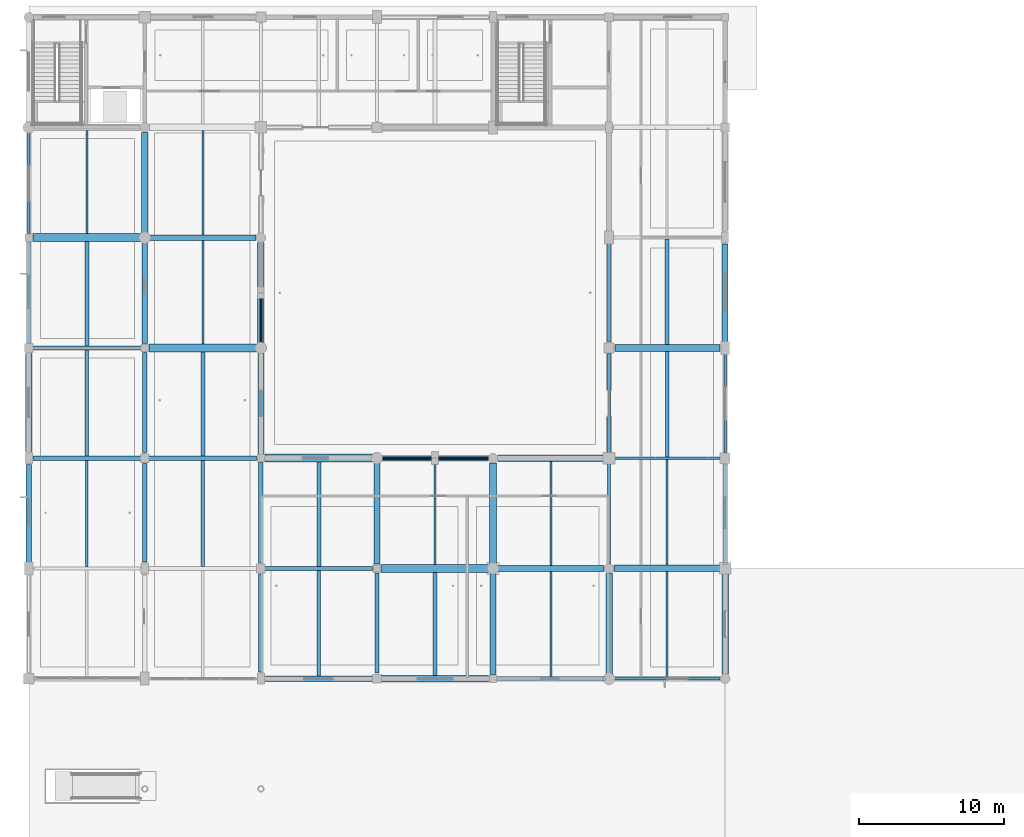
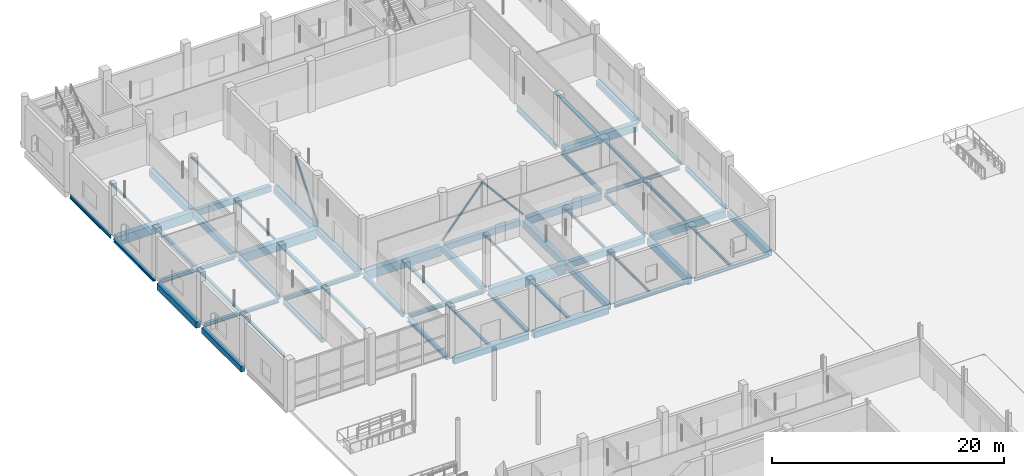
# One storey, part 27 of 126: 61 beams, 3 members.
"""IFC4 building model written with IfcOpenShell, lengths in metres."""

from ifc_helpers import new_model, si_unit, direction, frame, origin, origin_2d, place, context, subcontext, project, spatial, rectangle, hollow_circle, i_section, extrude, material, material_profile, profile_set, type_object, element, save


model = new_model("IFC4")

# Units and contexts
model_context = context("Model", 3, precision=1e-05, world=origin(), true_north=direction((0.0, 1.0)))
body_context = subcontext(model_context, "Body", "Model", "MODEL_VIEW")
ifc_project = project(units=[si_unit("LENGTHUNIT", "METRE"), si_unit("AREAUNIT", "SQUARE_METRE"), si_unit("VOLUMEUNIT", "CUBIC_METRE"), si_unit("PLANEANGLEUNIT", "RADIAN"), si_unit("MASSUNIT", "GRAM", prefix="KILO")], contexts=[model_context])

# Site, building, storey
site_placement = place(None, origin())
site = spatial("IfcSite", under=ifc_project, at=site_placement, CompositionType="ELEMENT")
building_placement = place(site_placement, origin())
building = spatial("IfcBuilding", under=site, at=building_placement, Name="Khelvaren Railside Concert Hall", CompositionType="ELEMENT")
storey_placement = place(building_placement, origin())
storey = spatial("IfcBuildingStorey", under=building, at=storey_placement, Name="L00", CompositionType="ELEMENT", Elevation=0.0)

# Beams
ifc_material_1 = material(Name="Steel S355", Category="steel")
ifc_material_profile_1 = material_profile(ifc_material_1, i_section(OverallWidth=0.300048828125, OverallDepth=0.389892578125, WebThickness=0.010986328125, FlangeThickness=0.01904296875, FilletRadius=0.027099609375, at=origin_2d()), Name="HEA 400")
ifc_profile_set_1 = profile_set([ifc_material_profile_1], Name="Steel S355")
beam_type_1 = type_object("IfcBeamType", Name="BM23", PredefinedType="BEAM", material=ifc_profile_set_1)
for number, where, z_axis, x_axis, name in (
    (1, (16.25, 76.0, -0.514892578125), (1.0, 0.0, 0.0), (0.0, 1.0, 0.0), "V4 L00 Beam X2.3"),
    (2, (8.25, 83.60009765625, -0.514892578125), (1.0, 0.0, 0.0), (0.0, 1.0, 0.0), "V4 L00 Beam X3.2"),
    (3, (0.25, 91.199951171875, -0.514892578125), (1.0, 0.0, 0.0), (0.0, 1.0, 0.0), "V4 L00 Beam X4.1"),
):
    element("IfcBeam", number, at=place(storey_placement, frame(where, z_axis=z_axis, x_axis=x_axis)), inside=storey, type_object=beam_type_1, Name=name, PredefinedType="BEAM", context=body_context, shape_type="SweptSolid", body=[
        extrude(i_section(OverallWidth=0.300048828125, OverallDepth=0.389892578125, WebThickness=0.010986328125, FlangeThickness=0.01904296875, FilletRadius=0.027099609375, at=origin_2d()), origin(), (0.0, 0.0, 1.0), 7.449951171875),
    ])
beam_1_placement = place(storey_placement, frame((8.0, 76.449951171875, -0.514892578125), z_axis=(0.0, 1.0, 0.0), x_axis=(-1.0, 0.0, 0.0)))
element("IfcBeam", 4, at=beam_1_placement, inside=storey, type_object=beam_type_1, Name="V4 L00 Beam Y2.2", PredefinedType="BEAM", context=body_context, shape_type="SweptSolid", body=[
    extrude(i_section(OverallWidth=0.300048828125, OverallDepth=0.389892578125, WebThickness=0.010986328125, FlangeThickness=0.01904296875, FilletRadius=0.027099609375, at=origin_2d()), origin(), (0.0, 0.0, 1.0), 6.775146484375),
])
beam_2_placement = place(storey_placement, frame((16.0, 68.85009765625, -0.514892578125), z_axis=(0.0, 1.0, 0.0), x_axis=(-1.0, 0.0, 0.0)))
element("IfcBeam", 5, at=beam_2_placement, inside=storey, type_object=beam_type_1, Name="V4 L00 Beam Y3.1", PredefinedType="BEAM", context=body_context, shape_type="SweptSolid", body=[
    extrude(i_section(OverallWidth=0.300048828125, OverallDepth=0.389892578125, WebThickness=0.010986328125, FlangeThickness=0.01904296875, FilletRadius=0.027099609375, at=origin_2d()), origin(), (0.0, 0.0, 1.0), 6.77490234375),
])
ifc_material_profile_2 = material_profile(ifc_material_1, i_section(OverallWidth=0.179931640625, OverallDepth=0.39990234375, WebThickness=0.008544921875, FlangeThickness=0.013427734375, FilletRadius=0.02099609375, at=origin_2d()), Name="IPE 400")
ifc_profile_set_2 = profile_set([ifc_material_profile_2], Name="Steel S355")
beam_type_2 = type_object("IfcBeamType", Name="BM29", PredefinedType="BEAM", material=ifc_profile_set_2)
beam_3_placement = place(storey_placement, frame((40.27294921875, 83.60009765625, -0.52001953125), z_axis=(1.0, 0.0, 0.0), x_axis=(0.0, 1.0, 0.0)))
element("IfcBeam", 6, at=beam_3_placement, inside=storey, type_object=beam_type_2, Name="V4 L00 Beam X3.6", PredefinedType="BEAM", context=body_context, shape_type="SweptSolid", body=[
    extrude(i_section(OverallWidth=0.179931640625, OverallDepth=0.39990234375, WebThickness=0.008544921875, FlangeThickness=0.013427734375, FilletRadius=0.02099609375, at=origin_2d()), origin(), (0.0, 0.0, 1.0), 7.3271484375),
])
beam_4_placement = place(storey_placement, frame((40.0, 76.3359375, -0.52001953125), z_axis=(0.0, 1.0, 0.0), x_axis=(-1.0, 0.0, 0.0)))
element("IfcBeam", 7, at=beam_4_placement, inside=storey, type_object=beam_type_2, Name="V4 L00 Beam Y6.2", PredefinedType="BEAM", context=body_context, shape_type="SweptSolid", body=[
    extrude(i_section(OverallWidth=0.179931640625, OverallDepth=0.39990234375, WebThickness=0.008544921875, FlangeThickness=0.013427734375, FilletRadius=0.02099609375, at=origin_2d()), origin(), (0.0, 0.0, 1.0), 6.990966796875),
])
ifc_material_2 = material(Name="Concrete C40/50", Category="concrete")
ifc_material_profile_3 = material_profile(ifc_material_2, rectangle(XDim=0.39990234375, YDim=0.64990234375, at=origin_2d()), Name="RCB 400x650")
ifc_profile_set_3 = profile_set([ifc_material_profile_3], Name="Concrete C40/50")
beam_type_3 = type_object("IfcBeamType", Name="BM33", PredefinedType="BEAM", material=ifc_profile_set_3)
for number, where, z_axis, x_axis, name in (
    (8, (32.25, 76.0, -0.64501953125), (1.0, 0.0, 0.0), (0.0, 1.0, 0.0), "V4 L00 Beam X2.5"),
    (9, (24.25, 83.60009765625, -0.64501953125), (1.0, 0.0, 0.0), (0.0, 1.0, 0.0), "V4 L00 Beam X3.4"),
    (10, (8.25, 98.800048828125, -0.64501953125), (1.0, 0.0, 0.0), (0.0, 1.0, 0.0), "V4 L00 Beam X5.2"),
):
    element("IfcBeam", number, at=place(storey_placement, frame(where, z_axis=z_axis, x_axis=x_axis)), inside=storey, type_object=beam_type_3, Name=name, PredefinedType="BEAM", context=body_context, shape_type="SweptSolid", body=[
        extrude(rectangle(XDim=0.39990234375, YDim=0.64990234375, at=origin_2d()), origin(), (0.0, 0.0, 1.0), 7.4140625),
    ])
for number, where, z_axis, x_axis, name in (
    (11, (8.0, 91.5, -0.64501953125), (0.0, 1.0, 0.0), (-1.0, 0.0, 0.0), "V4 L00 Beam Y2.4"),
    (12, (16.0, 83.89990234375, -0.64501953125), (0.0, 1.0, 0.0), (-1.0, 0.0, 0.0), "V4 L00 Beam Y3.3"),
    (13, (24.0, 76.300048828125, -0.64501953125), (0.0, 1.0, 0.0), (-1.0, 0.0, 0.0), "V4 L00 Beam Y4.2"),
    (14, (32.0, 68.699951171875, -0.64501953125), (0.0, 1.0, 0.0), (-1.0, 0.0, 0.0), "V4 L00 Beam Y5.1"),
):
    element("IfcBeam", number, at=place(storey_placement, frame(where, z_axis=z_axis, x_axis=x_axis)), inside=storey, type_object=beam_type_3, Name=name, PredefinedType="BEAM", context=body_context, shape_type="SweptSolid", body=[
        extrude(rectangle(XDim=0.39990234375, YDim=0.64990234375, at=origin_2d()), origin(), (0.0, 0.0, 1.0), 7.050048828125),
    ])
ifc_material_profile_4 = material_profile(ifc_material_1, i_section(OverallWidth=0.199951171875, OverallDepth=0.5, WebThickness=0.01025390625, FlangeThickness=0.01611328125, FilletRadius=0.02099609375, at=origin_2d()), Name="IPE 500")
ifc_profile_set_4 = profile_set([ifc_material_profile_4], Name="Steel S355")
beam_type_4 = type_object("IfcBeamType", Name="BM62", PredefinedType="BEAM", material=ifc_profile_set_4)
beam_5_placement = place(storey_placement, frame((40.0, 91.60009765625, -0.570068359375), z_axis=(0.0, 1.0, 0.0), x_axis=(-1.0, 0.0, 0.0)))
element("IfcBeam", 15, at=beam_5_placement, inside=storey, type_object=beam_type_4, Name="V4 L00 Beam Y6.4", PredefinedType="BEAM", context=body_context, shape_type="SweptSolid", body=[
    extrude(i_section(OverallWidth=0.199951171875, OverallDepth=0.5, WebThickness=0.01025390625, FlangeThickness=0.01611328125, FilletRadius=0.02099609375, at=origin_2d()), origin(), (0.0, 0.0, 1.0), 6.849853515625),
])
ifc_material_profile_5 = material_profile(ifc_material_1, i_section(OverallWidth=0.300048828125, OverallDepth=0.35009765625, WebThickness=0.010009765625, FlangeThickness=0.017578125, FilletRadius=0.027099609375, at=origin_2d()), Name="HEA 360")
ifc_profile_set_5 = profile_set([ifc_material_profile_5], Name="Steel S355")
beam_type_5 = type_object("IfcBeamType", Name="BM73", PredefinedType="BEAM", material=ifc_profile_set_5)
beam_6_placement = place(storey_placement, frame((0.300048828125, 83.60009765625, -0.4951171875), z_axis=(1.0, 0.0, 0.0), x_axis=(0.0, 1.0, 0.0)))
element("IfcBeam", 16, at=beam_6_placement, inside=storey, type_object=beam_type_5, Name="V4 L00 Beam X3.1", PredefinedType="BEAM", context=body_context, shape_type="SweptSolid", body=[
    extrude(i_section(OverallWidth=0.300048828125, OverallDepth=0.35009765625, WebThickness=0.010009765625, FlangeThickness=0.017578125, FilletRadius=0.027099609375, at=origin_2d()), origin(), (0.0, 0.0, 1.0), 7.449951171875),
])
ifc_material_profile_6 = material_profile(ifc_material_2, rectangle(XDim=0.449951171875, YDim=0.75, at=origin_2d()), Name="RCB 450x750")
ifc_profile_set_6 = profile_set([ifc_material_profile_6], Name="Concrete C40/50")
beam_type_6 = type_object("IfcBeamType", Name="BM83", PredefinedType="BEAM", material=ifc_profile_set_6)
for number, where, z_axis, x_axis, name in (
    (17, (40.3359375, 76.0, -0.695068359375), (1.0, 0.0, 0.0), (0.0, 1.0, 0.0), "V4 L00 Beam X2.6"),
    (18, (32.3359375, 83.60009765625, -0.695068359375), (1.0, 0.0, 0.0), (0.0, 1.0, 0.0), "V4 L00 Beam X3.5"),
):
    element("IfcBeam", number, at=place(storey_placement, frame(where, z_axis=z_axis, x_axis=x_axis)), inside=storey, type_object=beam_type_6, Name=name, PredefinedType="BEAM", context=body_context, shape_type="SweptSolid", body=[
        extrude(rectangle(XDim=0.449951171875, YDim=0.75, at=origin_2d()), origin(), (0.0, 0.0, 1.0), 7.39111328125),
    ])
beam_7_placement = place(storey_placement, frame((8.0, 99.050048828125, -0.695068359375), z_axis=(0.0, 1.0, 0.0), x_axis=(-1.0, 0.0, 0.0)))
element("IfcBeam", 19, at=beam_7_placement, inside=storey, type_object=beam_type_6, Name="V4 L00 Beam Y2.5", PredefinedType="BEAM", context=body_context, shape_type="SweptSolid", body=[
    extrude(rectangle(XDim=0.449951171875, YDim=0.75, at=origin_2d()), origin(), (0.0, 0.0, 1.0), 7.013916015625),
])
beam_8_placement = place(storey_placement, frame((16.0, 91.449951171875, -0.695068359375), z_axis=(0.0, 1.0, 0.0), x_axis=(-1.0, 0.0, 0.0)))
element("IfcBeam", 20, at=beam_8_placement, inside=storey, type_object=beam_type_6, Name="V4 L00 Beam Y3.4", PredefinedType="BEAM", context=body_context, shape_type="SweptSolid", body=[
    extrude(rectangle(XDim=0.449951171875, YDim=0.75, at=origin_2d()), origin(), (0.0, 0.0, 1.0), 7.01416015625),
])
beam_9_placement = place(storey_placement, frame((32.0, 76.25, -0.695068359375), z_axis=(0.0, 1.0, 0.0), x_axis=(-1.0, 0.0, 0.0)))
element("IfcBeam", 21, at=beam_9_placement, inside=storey, type_object=beam_type_6, Name="V4 L00 Beam Y5.2", PredefinedType="BEAM", context=body_context, shape_type="SweptSolid", body=[
    extrude(rectangle(XDim=0.449951171875, YDim=0.75, at=origin_2d()), origin(), (0.0, 0.0, 1.0), 7.013916015625),
])
beam_10_placement = place(storey_placement, frame((40.0, 68.64990234375, -0.695068359375), z_axis=(0.0, 1.0, 0.0), x_axis=(-1.0, 0.0, 0.0)))
element("IfcBeam", 22, at=beam_10_placement, inside=storey, type_object=beam_type_6, Name="V4 L00 Beam Y6.1", PredefinedType="BEAM", context=body_context, shape_type="SweptSolid", body=[
    extrude(rectangle(XDim=0.449951171875, YDim=0.75, at=origin_2d()), origin(), (0.0, 0.0, 1.0), 7.01416015625),
])
ifc_material_profile_7 = material_profile(ifc_material_1, i_section(OverallWidth=0.300048828125, OverallDepth=0.43994140625, WebThickness=0.011474609375, FlangeThickness=0.02099609375, FilletRadius=0.027099609375, at=origin_2d()), Name="HEA 450")
ifc_profile_set_7 = profile_set([ifc_material_profile_7], Name="Steel S355")
beam_type_7 = type_object("IfcBeamType", Name="BM89", PredefinedType="BEAM", material=ifc_profile_set_7)
beam_11_placement = place(storey_placement, frame((8.0, 83.97509765625, -0.5400390625), z_axis=(0.0, 1.0, 0.0), x_axis=(-1.0, 0.0, 0.0)))
element("IfcBeam", 23, at=beam_11_placement, inside=storey, type_object=beam_type_7, Name="V4 L00 Beam Y2.3", PredefinedType="BEAM", context=body_context, shape_type="SweptSolid", body=[
    extrude(i_section(OverallWidth=0.300048828125, OverallDepth=0.43994140625, WebThickness=0.011474609375, FlangeThickness=0.02099609375, FilletRadius=0.027099609375, at=origin_2d()), origin(), (0.0, 0.0, 1.0), 6.9248046875),
])
for number, where, z_axis, x_axis, name in (
    (24, (16.0, 76.375, -0.5400390625), (0.0, 1.0, 0.0), (-1.0, 0.0, 0.0), "V4 L00 Beam Y3.2"),
    (25, (24.0, 68.77490234375, -0.5400390625), (0.0, 1.0, 0.0), (-1.0, 0.0, 0.0), "V4 L00 Beam Y4.1"),
):
    element("IfcBeam", number, at=place(storey_placement, frame(where, z_axis=z_axis, x_axis=x_axis)), inside=storey, type_object=beam_type_7, Name=name, PredefinedType="BEAM", context=body_context, shape_type="SweptSolid", body=[
        extrude(i_section(OverallWidth=0.300048828125, OverallDepth=0.43994140625, WebThickness=0.011474609375, FlangeThickness=0.02099609375, FilletRadius=0.027099609375, at=origin_2d()), origin(), (0.0, 0.0, 1.0), 6.925048828125),
    ])
ifc_material_profile_8 = material_profile(ifc_material_1, i_section(OverallWidth=0.18994140625, OverallDepth=0.449951171875, WebThickness=0.009521484375, FlangeThickness=0.0146484375, FilletRadius=0.02099609375, at=origin_2d()), Name="IPE 450")
ifc_profile_set_8 = profile_set([ifc_material_profile_8], Name="Steel S355")
beam_type_8 = type_object("IfcBeamType", Name="BM95", PredefinedType="BEAM", material=ifc_profile_set_8)
beam_12_placement = place(storey_placement, frame((40.0, 83.873046875, -0.544921875), z_axis=(0.0, 1.0, 0.0), x_axis=(-1.0, 0.0, 0.0)))
element("IfcBeam", 26, at=beam_12_placement, inside=storey, type_object=beam_type_8, Name="V4 L00 Beam Y6.3", PredefinedType="BEAM", context=body_context, shape_type="SweptSolid", body=[
    extrude(i_section(OverallWidth=0.18994140625, OverallDepth=0.449951171875, WebThickness=0.009521484375, FlangeThickness=0.0146484375, FilletRadius=0.02099609375, at=origin_2d()), origin(), (0.0, 0.0, 1.0), 6.927001953125),
])

# Members
ifc_material_profile_9 = material_profile(ifc_material_1, hollow_circle(Radius=0.109619140625, WallThickness=0.012451171875, at=origin_2d()), Name="CHS 219.1x12.5")
ifc_profile_set_9 = profile_set([ifc_material_profile_9], Name="Steel S355")
member_type = type_object("IfcMemberType", Name="BR37", PredefinedType="BRACE", material=ifc_profile_set_9)
member_placement = place(storey_placement, frame((16.0, 91.199951171875, 0.050048828125), z_axis=(0.0, 0.620703965791, 0.784045015832), x_axis=(-1.0, 0.0, 0.0)))
element("IfcMember", 27, at=member_placement, inside=storey, type_object=member_type, Name="V4 L00 Seismic Chevron Brace 41", PredefinedType="BRACE", context=body_context, shape_type="SweptSolid", body=[
    extrude(hollow_circle(Radius=0.109619140625, WallThickness=0.012451171875, at=origin_2d()), origin(), (0.0, 0.0, 1.0), 6.1220703125),
])
for number, where, z_axis, x_axis, name in (
    (28, (24.0, 83.60009765625, 0.050048828125), (0.640180556359, 0.0, 0.768224482335), (0.0, 1.0, 0.0), "V4 L00 Seismic Chevron Brace 45"),
    (29, (32.0, 83.60009765625, 0.050048828125), (-0.640180556359, 0.0, 0.768224482335), (0.0, -1.0, 0.0), "V4 L00 Seismic Chevron Brace 46"),
):
    element("IfcMember", number, at=place(storey_placement, frame(where, z_axis=z_axis, x_axis=x_axis)), inside=storey, type_object=member_type, Name=name, PredefinedType="BRACE", context=body_context, shape_type="SweptSolid", body=[
        extrude(hollow_circle(Radius=0.109619140625, WallThickness=0.012451171875, at=origin_2d()), origin(), (0.0, 0.0, 1.0), 6.248291015625),
    ])

# Beams
ifc_material_profile_10 = material_profile(ifc_material_2, rectangle(XDim=0.550048828125, YDim=0.949951171875, at=origin_2d()), Name="RCB 550x950")
ifc_profile_set_10 = profile_set([ifc_material_profile_10], Name="Concrete C40/50")
beam_type_9 = type_object("IfcBeamType", Name="GR57", PredefinedType="T_BEAM", material=ifc_profile_set_10)
for number, where, z_axis, x_axis, name in (
    (30, (24.300048828125, 76.0, -0.794921875), (1.0, 0.0, 0.0), (0.0, 1.0, 0.0), "V4 L00 T_Beam X2.4"),
    (31, (16.300048828125, 83.60009765625, -0.794921875), (1.0, 0.0, 0.0), (0.0, 1.0, 0.0), "V4 L00 T_Beam X3.3"),
    (32, (8.300048828125, 91.199951171875, -0.794921875), (1.0, 0.0, 0.0), (0.0, 1.0, 0.0), "V4 L00 T_Beam X4.2"),
    (33, (0.300048828125, 98.800048828125, -0.794921875), (1.0, 0.0, 0.0), (0.0, 1.0, 0.0), "V4 L00 T_Beam X5.1"),
):
    element("IfcBeam", number, at=place(storey_placement, frame(where, z_axis=z_axis, x_axis=x_axis)), inside=storey, type_object=beam_type_9, Name=name, PredefinedType="T_BEAM", context=body_context, shape_type="SweptSolid", body=[
        extrude(rectangle(XDim=0.550048828125, YDim=0.949951171875, at=origin_2d()), origin(), (0.0, 0.0, 1.0), 7.449951171875),
    ])
ifc_material_profile_11 = material_profile(ifc_material_2, rectangle(XDim=0.5, YDim=0.85009765625, at=origin_2d()), Name="RCB 500x850")
ifc_profile_set_11 = profile_set([ifc_material_profile_11], Name="Concrete C40/50")
beam_type_10 = type_object("IfcBeamType", Name="GR96", PredefinedType="T_BEAM", material=ifc_profile_set_11)
beam_13_placement = place(storey_placement, frame((40.39990234375, 91.199951171875, -0.7451171875), z_axis=(1.0, 0.0, 0.0), x_axis=(0.0, 1.0, 0.0)))
element("IfcBeam", 34, at=beam_13_placement, inside=storey, type_object=beam_type_10, Name="V4 L00 T_Beam X4.6", PredefinedType="T_BEAM", context=body_context, shape_type="SweptSolid", body=[
    extrude(rectangle(XDim=0.5, YDim=0.85009765625, at=origin_2d()), origin(), (0.0, 0.0, 1.0), 7.25),
])
ifc_material_profile_12 = material_profile(ifc_material_1, i_section(OverallWidth=0.14990234375, OverallDepth=0.300048828125, WebThickness=0.007080078125, FlangeThickness=0.0107421875, FilletRadius=0.014892578125, at=origin_2d()), Name="IPE 300")
ifc_profile_set_12 = profile_set([ifc_material_profile_12], Name="Steel S355")
beam_type_11 = type_object("IfcBeamType", Name="JS26", PredefinedType="JOIST", material=ifc_profile_set_12)
for number, where, z_axis, x_axis, name in (
    (35, (12.0, 99.0, -0.469970703125), (0.0, 1.0, 0.0), (-1.0, 0.0, 0.0), "V4 L00 Secondary Joist 2.5"),
    (36, (36.0, 76.199951171875, -0.469970703125), (0.0, 1.0, 0.0), (-1.0, 0.0, 0.0), "V4 L00 Secondary Joist 5.2"),
):
    element("IfcBeam", number, at=place(storey_placement, frame(where, z_axis=z_axis, x_axis=x_axis)), inside=storey, type_object=beam_type_11, Name=name, PredefinedType="JOIST", context=body_context, shape_type="SweptSolid", body=[
        extrude(i_section(OverallWidth=0.14990234375, OverallDepth=0.300048828125, WebThickness=0.007080078125, FlangeThickness=0.0107421875, FilletRadius=0.014892578125, at=origin_2d()), origin(), (0.0, 0.0, 1.0), 7.175048828125),
    ])
beam_14_placement = place(storey_placement, frame((44.0, 68.485107421875, -0.469970703125), z_axis=(0.0, 1.0, 0.0), x_axis=(-1.0, 0.0, 0.0)))
element("IfcBeam", 37, at=beam_14_placement, inside=storey, type_object=beam_type_11, Name="V4 L00 Secondary Joist 6.1", PredefinedType="JOIST", context=body_context, shape_type="SweptSolid", body=[
    extrude(i_section(OverallWidth=0.14990234375, OverallDepth=0.300048828125, WebThickness=0.007080078125, FlangeThickness=0.0107421875, FilletRadius=0.014892578125, at=origin_2d()), origin(), (0.0, 0.0, 1.0), 7.289794921875),
])
ifc_material_profile_13 = material_profile(ifc_material_1, i_section(OverallWidth=0.280029296875, OverallDepth=0.27001953125, WebThickness=0.008056640625, FlangeThickness=0.012939453125, FilletRadius=0.02392578125, at=origin_2d()), Name="HEA 280")
ifc_profile_set_13 = profile_set([ifc_material_profile_13], Name="Steel S355")
beam_type_12 = type_object("IfcBeamType", Name="JS46", PredefinedType="JOIST", material=ifc_profile_set_13)
beam_15_placement = place(storey_placement, frame((4.0, 91.35009765625, -0.455078125), z_axis=(0.0, 1.0, 0.0), x_axis=(-1.0, 0.0, 0.0)))
element("IfcBeam", 38, at=beam_15_placement, inside=storey, type_object=beam_type_12, Name="V4 L00 Secondary Joist 1.4", PredefinedType="JOIST", context=body_context, shape_type="SweptSolid", body=[
    extrude(i_section(OverallWidth=0.280029296875, OverallDepth=0.27001953125, WebThickness=0.008056640625, FlangeThickness=0.012939453125, FilletRadius=0.02392578125, at=origin_2d()), origin(), (0.0, 0.0, 1.0), 7.1748046875),
])
for number, where, z_axis, x_axis, name in (
    (39, (12.0, 83.75, -0.455078125), (0.0, 1.0, 0.0), (-1.0, 0.0, 0.0), "V4 L00 Secondary Joist 2.3"),
    (40, (20.0, 76.14990234375, -0.455078125), (0.0, 1.0, 0.0), (-1.0, 0.0, 0.0), "V4 L00 Secondary Joist 3.2"),
):
    element("IfcBeam", number, at=place(storey_placement, frame(where, z_axis=z_axis, x_axis=x_axis)), inside=storey, type_object=beam_type_12, Name=name, PredefinedType="JOIST", context=body_context, shape_type="SweptSolid", body=[
        extrude(i_section(OverallWidth=0.280029296875, OverallDepth=0.27001953125, WebThickness=0.008056640625, FlangeThickness=0.012939453125, FilletRadius=0.02392578125, at=origin_2d()), origin(), (0.0, 0.0, 1.0), 7.175048828125),
    ])
beam_16_placement = place(storey_placement, frame((28.0, 68.625, -0.455078125), z_axis=(0.0, 1.0, 0.0), x_axis=(-1.0, 0.0, 0.0)))
element("IfcBeam", 41, at=beam_16_placement, inside=storey, type_object=beam_type_12, Name="V4 L00 Secondary Joist 4.1", PredefinedType="JOIST", context=body_context, shape_type="SweptSolid", body=[
    extrude(i_section(OverallWidth=0.280029296875, OverallDepth=0.27001953125, WebThickness=0.008056640625, FlangeThickness=0.012939453125, FilletRadius=0.02392578125, at=origin_2d()), origin(), (0.0, 0.0, 1.0), 7.10009765625),
])
beam_17_placement = place(storey_placement, frame((44.0, 91.449951171875, -0.455078125), z_axis=(0.0, 1.0, 0.0), x_axis=(-1.0, 0.0, 0.0)))
element("IfcBeam", 42, at=beam_17_placement, inside=storey, type_object=beam_type_12, Name="V4 L00 Secondary Joist 6.4", PredefinedType="JOIST", context=body_context, shape_type="SweptSolid", body=[
    extrude(i_section(OverallWidth=0.280029296875, OverallDepth=0.27001953125, WebThickness=0.008056640625, FlangeThickness=0.012939453125, FilletRadius=0.02392578125, at=origin_2d()), origin(), (0.0, 0.0, 1.0), 7.25),
])
ifc_material_profile_14 = material_profile(ifc_material_1, i_section(OverallWidth=0.159912109375, OverallDepth=0.330078125, WebThickness=0.007568359375, FlangeThickness=0.011474609375, FilletRadius=0.01806640625, at=origin_2d()), Name="IPE 330")
ifc_profile_set_14 = profile_set([ifc_material_profile_14], Name="Steel S355")
beam_type_13 = type_object("IfcBeamType", Name="JS65", PredefinedType="JOIST", material=ifc_profile_set_14)
beam_18_placement = place(storey_placement, frame((4.0, 76.10009765625, -0.485107421875), z_axis=(0.0, 1.0, 0.0), x_axis=(-1.0, 0.0, 0.0)))
element("IfcBeam", 43, at=beam_18_placement, inside=storey, type_object=beam_type_13, Name="V4 L00 Secondary Joist 1.2", PredefinedType="JOIST", context=body_context, shape_type="SweptSolid", body=[
    extrude(i_section(OverallWidth=0.159912109375, OverallDepth=0.330078125, WebThickness=0.007568359375, FlangeThickness=0.011474609375, FilletRadius=0.01806640625, at=origin_2d()), origin(), (0.0, 0.0, 1.0), 7.349853515625),
])
beam_19_placement = place(storey_placement, frame((44.0, 76.22509765625, -0.485107421875), z_axis=(0.0, 1.0, 0.0), x_axis=(-1.0, 0.0, 0.0)))
element("IfcBeam", 44, at=beam_19_placement, inside=storey, type_object=beam_type_13, Name="V4 L00 Secondary Joist 6.2", PredefinedType="JOIST", context=body_context, shape_type="SweptSolid", body=[
    extrude(i_section(OverallWidth=0.159912109375, OverallDepth=0.330078125, WebThickness=0.007568359375, FlangeThickness=0.011474609375, FilletRadius=0.01806640625, at=origin_2d()), origin(), (0.0, 0.0, 1.0), 7.284912109375),
])
ifc_material_profile_15 = material_profile(ifc_material_1, i_section(OverallWidth=0.239990234375, OverallDepth=0.22998046875, WebThickness=0.007568359375, FlangeThickness=0.011962890625, FilletRadius=0.02099609375, at=origin_2d()), Name="HEA 240")
ifc_profile_set_15 = profile_set([ifc_material_profile_15], Name="Steel S355")
beam_type_14 = type_object("IfcBeamType", Name="JS76", PredefinedType="JOIST", material=ifc_profile_set_15)
for number, where, z_axis, x_axis, name in (
    (45, (4.0, 83.75, -0.43505859375), (0.0, 1.0, 0.0), (-1.0, 0.0, 0.0), "V4 L00 Secondary Joist 1.3"),
    (46, (12.0, 76.14990234375, -0.43505859375), (0.0, 1.0, 0.0), (-1.0, 0.0, 0.0), "V4 L00 Secondary Joist 2.2"),
):
    element("IfcBeam", number, at=place(storey_placement, frame(where, z_axis=z_axis, x_axis=x_axis)), inside=storey, type_object=beam_type_14, Name=name, PredefinedType="JOIST", context=body_context, shape_type="SweptSolid", body=[
        extrude(i_section(OverallWidth=0.239990234375, OverallDepth=0.22998046875, WebThickness=0.007568359375, FlangeThickness=0.011962890625, FilletRadius=0.02099609375, at=origin_2d()), origin(), (0.0, 0.0, 1.0), 7.300048828125),
    ])
beam_20_placement = place(storey_placement, frame((20.0, 68.60009765625, -0.43505859375), z_axis=(0.0, 1.0, 0.0), x_axis=(-1.0, 0.0, 0.0)))
element("IfcBeam", 47, at=beam_20_placement, inside=storey, type_object=beam_type_14, Name="V4 L00 Secondary Joist 3.1", PredefinedType="JOIST", context=body_context, shape_type="SweptSolid", body=[
    extrude(i_section(OverallWidth=0.239990234375, OverallDepth=0.22998046875, WebThickness=0.007568359375, FlangeThickness=0.011962890625, FilletRadius=0.02099609375, at=origin_2d()), origin(), (0.0, 0.0, 1.0), 7.25),
])
beam_21_placement = place(storey_placement, frame((44.0, 83.68994140625, -0.43505859375), z_axis=(0.0, 1.0, 0.0), x_axis=(-1.0, 0.0, 0.0)))
element("IfcBeam", 48, at=beam_21_placement, inside=storey, type_object=beam_type_14, Name="V4 L00 Secondary Joist 6.3", PredefinedType="JOIST", context=body_context, shape_type="SweptSolid", body=[
    extrude(i_section(OverallWidth=0.239990234375, OverallDepth=0.22998046875, WebThickness=0.007568359375, FlangeThickness=0.011962890625, FilletRadius=0.02099609375, at=origin_2d()), origin(), (0.0, 0.0, 1.0), 7.260009765625),
])
ifc_material_profile_16 = material_profile(ifc_material_1, i_section(OverallWidth=0.135009765625, OverallDepth=0.27001953125, WebThickness=0.006591796875, FlangeThickness=0.01025390625, FilletRadius=0.014892578125, at=origin_2d()), Name="IPE 270")
ifc_profile_set_16 = profile_set([ifc_material_profile_16], Name="Steel S355")
beam_type_15 = type_object("IfcBeamType", Name="JS78", PredefinedType="JOIST", material=ifc_profile_set_16)
for number, where, z_axis, x_axis, name in (
    (49, (4.0, 99.074951171875, -0.455078125), (0.0, 1.0, 0.0), (-1.0, 0.0, 0.0), "V4 L00 Secondary Joist 1.5"),
    (50, (12.0, 91.47509765625, -0.455078125), (0.0, 1.0, 0.0), (-1.0, 0.0, 0.0), "V4 L00 Secondary Joist 2.4"),
    (51, (28.0, 76.27490234375, -0.455078125), (0.0, 1.0, 0.0), (-1.0, 0.0, 0.0), "V4 L00 Secondary Joist 4.2"),
):
    element("IfcBeam", number, at=place(storey_placement, frame(where, z_axis=z_axis, x_axis=x_axis)), inside=storey, type_object=beam_type_15, Name=name, PredefinedType="JOIST", context=body_context, shape_type="SweptSolid", body=[
        extrude(i_section(OverallWidth=0.135009765625, OverallDepth=0.27001953125, WebThickness=0.006591796875, FlangeThickness=0.01025390625, FilletRadius=0.014892578125, at=origin_2d()), origin(), (0.0, 0.0, 1.0), 7.125),
    ])
beam_22_placement = place(storey_placement, frame((36.0, 68.550048828125, -0.455078125), z_axis=(0.0, 1.0, 0.0), x_axis=(-1.0, 0.0, 0.0)))
element("IfcBeam", 52, at=beam_22_placement, inside=storey, type_object=beam_type_15, Name="V4 L00 Secondary Joist 5.1", PredefinedType="JOIST", context=body_context, shape_type="SweptSolid", body=[
    extrude(i_section(OverallWidth=0.135009765625, OverallDepth=0.27001953125, WebThickness=0.006591796875, FlangeThickness=0.01025390625, FilletRadius=0.014892578125, at=origin_2d()), origin(), (0.0, 0.0, 1.0), 7.25),
])
ifc_material_profile_17 = material_profile(ifc_material_2, rectangle(XDim=0.449951171875, YDim=0.64990234375, at=origin_2d()), Name="RCB 450x650")
ifc_profile_set_17 = profile_set([ifc_material_profile_17], Name="Concrete C40/50")
beam_type_16 = type_object("IfcBeamType", Name="SP34", PredefinedType="SPANDREL", material=ifc_profile_set_17)
beam_23_placement = place(storey_placement, frame((24.25, 68.39990234375, -0.64501953125), z_axis=(1.0, 0.0, 0.0), x_axis=(0.0, 1.0, 0.0)))
element("IfcBeam", 53, at=beam_23_placement, inside=storey, type_object=beam_type_16, Name="V4 L00 Spandrel X1.4", PredefinedType="SPANDREL", context=body_context, shape_type="SweptSolid", body=[
    extrude(rectangle(XDim=0.449951171875, YDim=0.64990234375, at=origin_2d()), origin(), (0.0, 0.0, 1.0), 7.449951171875),
])
beam_24_placement = place(storey_placement, frame((0.0, 84.050048828125, -0.64501953125), z_axis=(0.0, 1.0, 0.0), x_axis=(-1.0, 0.0, 0.0)))
element("IfcBeam", 54, at=beam_24_placement, inside=storey, type_object=beam_type_16, Name="V4 L00 Spandrel Y1.3", PredefinedType="SPANDREL", context=body_context, shape_type="SweptSolid", body=[
    extrude(rectangle(XDim=0.449951171875, YDim=0.64990234375, at=origin_2d()), origin(), (0.0, 0.0, 1.0), 6.77490234375),
])
beam_25_placement = place(storey_placement, frame((48.0, 68.736083984375, -0.64501953125), z_axis=(0.0, 1.0, 0.0), x_axis=(-1.0, 0.0, 0.0)))
element("IfcBeam", 55, at=beam_25_placement, inside=storey, type_object=beam_type_16, Name="V4 L00 Spandrel Y7.1", PredefinedType="SPANDREL", context=body_context, shape_type="SweptSolid", body=[
    extrude(rectangle(XDim=0.449951171875, YDim=0.64990234375, at=origin_2d()), origin(), (0.0, 0.0, 1.0), 6.990966796875),
])
ifc_material_profile_18 = material_profile(ifc_material_1, i_section(OverallWidth=0.300048828125, OverallDepth=0.31005859375, WebThickness=0.009033203125, FlangeThickness=0.015380859375, FilletRadius=0.027099609375, at=origin_2d()), Name="HEA 320")
ifc_profile_set_18 = profile_set([ifc_material_profile_18], Name="Steel S355")
beam_type_17 = type_object("IfcBeamType", Name="SP66", PredefinedType="SPANDREL", material=ifc_profile_set_18)
beam_26_placement = place(storey_placement, frame((32.300048828125, 68.39990234375, -0.47509765625), z_axis=(1.0, 0.0, 0.0), x_axis=(0.0, 1.0, 0.0)))
element("IfcBeam", 56, at=beam_26_placement, inside=storey, type_object=beam_type_17, Name="V4 L00 Spandrel X1.5", PredefinedType="SPANDREL", context=body_context, shape_type="SweptSolid", body=[
    extrude(i_section(OverallWidth=0.300048828125, OverallDepth=0.31005859375, WebThickness=0.009033203125, FlangeThickness=0.015380859375, FilletRadius=0.027099609375, at=origin_2d()), origin(), (0.0, 0.0, 1.0), 7.449951171875),
])
beam_27_placement = place(storey_placement, frame((0.0, 91.574951171875, -0.47509765625), z_axis=(0.0, 1.0, 0.0), x_axis=(-1.0, 0.0, 0.0)))
element("IfcBeam", 57, at=beam_27_placement, inside=storey, type_object=beam_type_17, Name="V4 L00 Spandrel Y1.4", PredefinedType="SPANDREL", context=body_context, shape_type="SweptSolid", body=[
    extrude(i_section(OverallWidth=0.300048828125, OverallDepth=0.31005859375, WebThickness=0.009033203125, FlangeThickness=0.015380859375, FilletRadius=0.027099609375, at=origin_2d()), origin(), (0.0, 0.0, 1.0), 6.925048828125),
])
beam_28_placement = place(storey_placement, frame((48.0, 76.27294921875, -0.47509765625), z_axis=(0.0, 1.0, 0.0), x_axis=(-1.0, 0.0, 0.0)))
element("IfcBeam", 58, at=beam_28_placement, inside=storey, type_object=beam_type_17, Name="V4 L00 Spandrel Y7.2", PredefinedType="SPANDREL", context=body_context, shape_type="SweptSolid", body=[
    extrude(i_section(OverallWidth=0.300048828125, OverallDepth=0.31005859375, WebThickness=0.009033203125, FlangeThickness=0.015380859375, FilletRadius=0.027099609375, at=origin_2d()), origin(), (0.0, 0.0, 1.0), 6.927001953125),
])
ifc_material_profile_19 = material_profile(ifc_material_1, i_section(OverallWidth=0.169921875, OverallDepth=0.360107421875, WebThickness=0.008056640625, FlangeThickness=0.0126953125, FilletRadius=0.01806640625, at=origin_2d()), Name="IPE 360")
ifc_profile_set_19 = profile_set([ifc_material_profile_19], Name="Steel S355")
beam_type_18 = type_object("IfcBeamType", Name="SP74", PredefinedType="SPANDREL", material=ifc_profile_set_19)
beam_29_placement = place(storey_placement, frame((40.25, 68.39990234375, -0.5), z_axis=(1.0, 0.0, 0.0), x_axis=(0.0, 1.0, 0.0)))
element("IfcBeam", 59, at=beam_29_placement, inside=storey, type_object=beam_type_18, Name="V4 L00 Spandrel X1.6", PredefinedType="SPANDREL", context=body_context, shape_type="SweptSolid", body=[
    extrude(i_section(OverallWidth=0.169921875, OverallDepth=0.360107421875, WebThickness=0.008056640625, FlangeThickness=0.0126953125, FilletRadius=0.01806640625, at=origin_2d()), origin(), (0.0, 0.0, 1.0), 7.4140625),
])
beam_30_placement = place(storey_placement, frame((0.0, 99.10009765625, -0.5), z_axis=(0.0, 1.0, 0.0), x_axis=(-1.0, 0.0, 0.0)))
element("IfcBeam", 60, at=beam_30_placement, inside=storey, type_object=beam_type_18, Name="V4 L00 Spandrel Y1.5", PredefinedType="SPANDREL", context=body_context, shape_type="SweptSolid", body=[
    extrude(i_section(OverallWidth=0.169921875, OverallDepth=0.360107421875, WebThickness=0.008056640625, FlangeThickness=0.0126953125, FilletRadius=0.01806640625, at=origin_2d()), origin(), (0.0, 0.0, 1.0), 7.0498046875),
])
beam_31_placement = place(storey_placement, frame((48.0, 84.0, -0.5), z_axis=(0.0, 1.0, 0.0), x_axis=(-1.0, 0.0, 0.0)))
element("IfcBeam", 61, at=beam_31_placement, inside=storey, type_object=beam_type_18, Name="V4 L00 Spandrel Y7.3", PredefinedType="SPANDREL", context=body_context, shape_type="SweptSolid", body=[
    extrude(i_section(OverallWidth=0.169921875, OverallDepth=0.360107421875, WebThickness=0.008056640625, FlangeThickness=0.0126953125, FilletRadius=0.01806640625, at=origin_2d()), origin(), (0.0, 0.0, 1.0), 6.85009765625),
])
ifc_material_profile_20 = material_profile(ifc_material_2, rectangle(XDim=0.39990234375, YDim=0.60009765625, at=origin_2d()), Name="RCB 400x600")
ifc_profile_set_20 = profile_set([ifc_material_profile_20], Name="Concrete C40/50")
beam_type_19 = type_object("IfcBeamType", Name="SP75", PredefinedType="SPANDREL", material=ifc_profile_set_20)
beam_32_placement = place(storey_placement, frame((16.300048828125, 68.39990234375, -0.6201171875), z_axis=(1.0, 0.0, 0.0), x_axis=(0.0, 1.0, 0.0)))
element("IfcBeam", 62, at=beam_32_placement, inside=storey, type_object=beam_type_19, Name="V4 L00 Spandrel X1.3", PredefinedType="SPANDREL", context=body_context, shape_type="SweptSolid", body=[
    extrude(rectangle(XDim=0.39990234375, YDim=0.60009765625, at=origin_2d()), origin(), (0.0, 0.0, 1.0), 7.449951171875),
])
beam_33_placement = place(storey_placement, frame((0.0, 76.35009765625, -0.6201171875), z_axis=(0.0, 1.0, 0.0), x_axis=(-1.0, 0.0, 0.0)))
element("IfcBeam", 63, at=beam_33_placement, inside=storey, type_object=beam_type_19, Name="V4 L00 Spandrel Y1.2", PredefinedType="SPANDREL", context=body_context, shape_type="SweptSolid", body=[
    extrude(rectangle(XDim=0.39990234375, YDim=0.60009765625, at=origin_2d()), origin(), (0.0, 0.0, 1.0), 6.7998046875),
])
beam_34_placement = place(storey_placement, frame((48.0, 91.550048828125, -0.6201171875), z_axis=(0.0, 1.0, 0.0), x_axis=(-1.0, 0.0, 0.0)))
element("IfcBeam", 64, at=beam_34_placement, inside=storey, type_object=beam_type_19, Name="V4 L00 Spandrel Y7.4", PredefinedType="SPANDREL", context=body_context, shape_type="SweptSolid", body=[
    extrude(rectangle(XDim=0.39990234375, YDim=0.60009765625, at=origin_2d()), origin(), (0.0, 0.0, 1.0), 6.800048828125),
])

save(model, "model.ifc")
